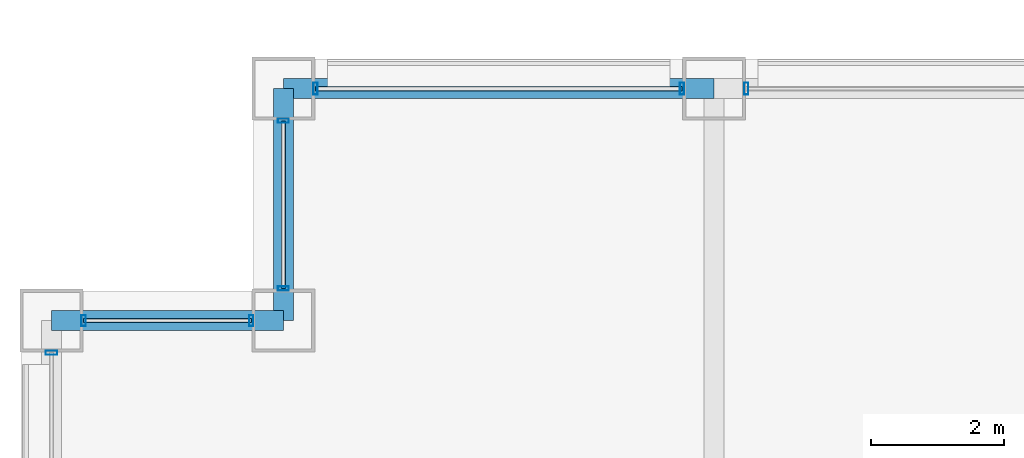
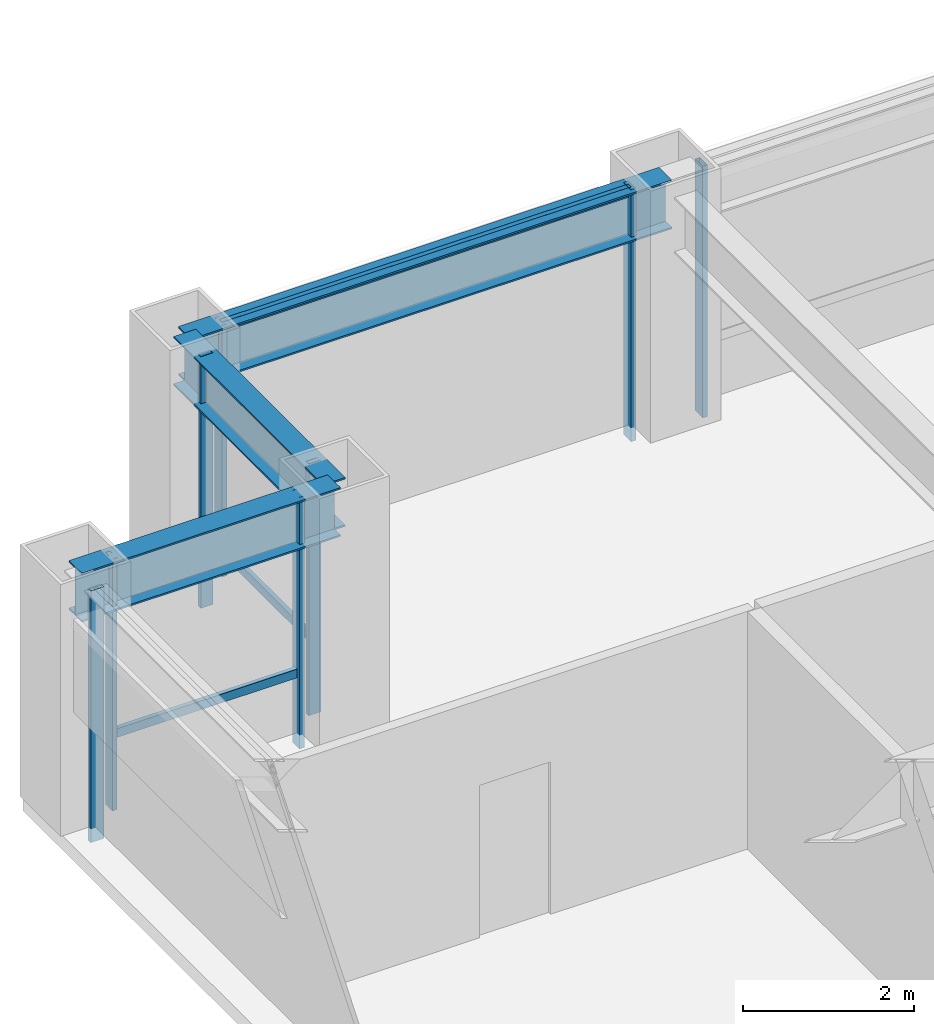
# One storey, part 16 of 31: 11 members, 3 beams, 5 elements without a shape of their own.
"""IFC4 building model written with IfcOpenShell, lengths in metres."""

from ifc_helpers import new_model, si_unit, direction, frame, origin, origin_2d, place, context, subcontext, project, spatial, hollow_rectangle, i_section, extrude, material, layer, layer_set, material_profile, profile_set, type_object, element, aggregate, save


model = new_model("IFC4")

# Units and contexts
model_context = context("Model", 3, precision=1e-05, world=origin(), true_north=direction((0.0, 1.0)))
body_context = subcontext(model_context, "Body", "Model", "MODEL_VIEW")
ifc_project = project(units=[si_unit("LENGTHUNIT", "METRE"), si_unit("AREAUNIT", "SQUARE_METRE"), si_unit("VOLUMEUNIT", "CUBIC_METRE"), si_unit("PLANEANGLEUNIT", "RADIAN"), si_unit("MASSUNIT", "GRAM", prefix="KILO")], contexts=[model_context])

# Site, building, storey
site_placement = place(None, origin())
site = spatial("IfcSite", under=ifc_project, at=site_placement, CompositionType="ELEMENT")
building_placement = place(site_placement, origin())
building = spatial("IfcBuilding", under=site, at=building_placement, Name="Brelmoor Portico Tower", CompositionType="ELEMENT")
storey_placement = place(building_placement, frame((0.0, 0.0, 42.0)))
storey = spatial("IfcBuildingStorey", under=building, at=storey_placement, Name="L10", CompositionType="ELEMENT", Elevation=42.0)

# Beams
ifc_material_1 = material(Name="Steel Q355B", Category="steel")
ifc_material_profile_1 = material_profile(ifc_material_1, i_section(OverallWidth=0.300048828125, OverallDepth=0.699951171875, WebThickness=0.012939453125, FlangeThickness=0.02392578125, at=origin_2d()), Name="HN 700x300x13x24")
ifc_profile_set_1 = profile_set([ifc_material_profile_1], Name="Steel Q355B")
beam_type = type_object("IfcBeamType", Name="BM-SP-700", PredefinedType="SPANDREL", material=ifc_profile_set_1)
beam_1_placement = place(storey_placement, frame((-24.550048828125, 18.050048828125, 3.050048828125), z_axis=(1.0, 0.0, 0.0), x_axis=(0.0, 1.0, 0.0)))
element("IfcBeam", 1, at=beam_1_placement, inside=storey, type_object=beam_type, Name="L10 Perimeter Spandrel Beam SP-08", PredefinedType="SPANDREL", context=body_context, shape_type="SweptSolid", body=[
    extrude(i_section(OverallWidth=0.300048828125, OverallDepth=0.699951171875, WebThickness=0.012939453125, FlangeThickness=0.02392578125, at=origin_2d()), origin(), (0.0, 0.0, 1.0), 3.5),
])
beam_2_placement = place(storey_placement, frame((-21.050048828125, 21.550048828125, 3.050048828125), z_axis=(1.0, 0.0, 0.0), x_axis=(0.0, 1.0, 0.0)))
element("IfcBeam", 2, at=beam_2_placement, inside=storey, type_object=beam_type, Name="L10 Perimeter Spandrel Beam SP-10", PredefinedType="SPANDREL", context=body_context, shape_type="SweptSolid", body=[
    extrude(i_section(OverallWidth=0.300048828125, OverallDepth=0.699951171875, WebThickness=0.012939453125, FlangeThickness=0.02392578125, at=origin_2d()), origin(), (0.0, 0.0, 1.0), 6.5),
])
beam_3_placement = place(storey_placement, frame((-21.050048828125, 18.050048828125, 3.050048828125), z_axis=(0.0, 1.0, 0.0), x_axis=(-1.0, 0.0, 0.0)))
element("IfcBeam", 3, at=beam_3_placement, inside=storey, type_object=beam_type, Name="L10 Perimeter Spandrel Beam SP-19", PredefinedType="SPANDREL", context=body_context, shape_type="SweptSolid", body=[
    extrude(i_section(OverallWidth=0.300048828125, OverallDepth=0.699951171875, WebThickness=0.012939453125, FlangeThickness=0.02392578125, at=origin_2d()), origin(), (0.0, 0.0, 1.0), 3.5),
])

# Curtain wall, members
ifc_material_2 = material(Name="Anodised Aluminium Alloy 6063-T6", Category="aluminium")
ifc_layer_1 = layer(ifc_material_2, 0.179931640625)
ifc_layer_set_1 = layer_set([ifc_layer_1], Name="Anodised Aluminium Alloy 6063-T6")
curtain_wall_type_1 = type_object("IfcCurtainWallType", Name="CW-NOTCH-CHAMFER", PredefinedType="NOTDEFINED", material=ifc_layer_set_1)
curtain_wall_1_placement = place(storey_placement, origin())
curtain_wall_1 = element("IfcCurtainWall", 4, at=curtain_wall_1_placement, inside=storey, type_object=curtain_wall_type_1, Name="L10 Curtain Wall CWN-L10-NWH", PredefinedType="NOTDEFINED")
ifc_material_profile_2 = material_profile(ifc_material_2, hollow_rectangle(XDim=0.06494140625, YDim=0.1650390625, WallThickness=0.00390625, at=origin_2d()), Name="ALU MULLION 65x165")
ifc_profile_set_2 = profile_set([ifc_material_profile_2], Name="Anodised Aluminium Alloy 6063-T6")
member_type_1 = type_object("IfcMemberType", Name="MB-CW-MULL-165", PredefinedType="MULLION", material=ifc_profile_set_2)
member_1_placement = place(storey_placement, frame((-24.06494140625, 18.050048828125, -0.199951171875), z_axis=(0.0, 0.0, 1.0), x_axis=(1.0, 0.0, 0.0)))
member_1 = element("IfcMember", 5, at=member_1_placement, type_object=member_type_1, Name="CWN-L10-NWH Mullion 00", PredefinedType="MULLION", context=body_context, shape_type="SweptSolid", body=[
    extrude(hollow_rectangle(XDim=0.06494140625, YDim=0.1650390625, WallThickness=0.00390625, at=origin_2d()), origin(), (0.0, 0.0, 1.0), 3.599853515625),
])
member_2_placement = place(storey_placement, frame((-21.534912109375, 18.050048828125, -0.199951171875), z_axis=(0.0, 0.0, 1.0), x_axis=(1.0, 0.0, 0.0)))
member_2 = element("IfcMember", 6, at=member_2_placement, type_object=member_type_1, Name="CWN-L10-NWH Mullion 01", PredefinedType="MULLION", context=body_context, shape_type="SweptSolid", body=[
    extrude(hollow_rectangle(XDim=0.06494140625, YDim=0.1650390625, WallThickness=0.00390625, at=origin_2d()), origin(), (0.0, 0.0, 1.0), 3.599853515625),
])

curtain_wall_2_placement = place(storey_placement, origin())
curtain_wall_2 = element("IfcCurtainWall", 7, at=curtain_wall_2_placement, inside=storey, type_object=curtain_wall_type_1, Name="L10 Curtain Wall CWN-L10-NWV", PredefinedType="NOTDEFINED")
member_3_placement = place(storey_placement, frame((-21.050048828125, 18.534912109375, -0.199951171875), z_axis=(0.0, 0.0, 1.0), x_axis=(0.0, 1.0, 0.0)))
member_3 = element("IfcMember", 8, at=member_3_placement, type_object=member_type_1, Name="CWN-L10-NWV Mullion 00", PredefinedType="MULLION", context=body_context, shape_type="SweptSolid", body=[
    extrude(hollow_rectangle(XDim=0.06494140625, YDim=0.1650390625, WallThickness=0.00390625, at=origin_2d()), origin(), (0.0, 0.0, 1.0), 3.599853515625),
])
member_4_placement = place(storey_placement, frame((-21.050048828125, 21.06494140625, -0.199951171875), z_axis=(0.0, 0.0, 1.0), x_axis=(0.0, 1.0, 0.0)))
member_4 = element("IfcMember", 9, at=member_4_placement, type_object=member_type_1, Name="CWN-L10-NWV Mullion 01", PredefinedType="MULLION", context=body_context, shape_type="SweptSolid", body=[
    extrude(hollow_rectangle(XDim=0.06494140625, YDim=0.1650390625, WallThickness=0.00390625, at=origin_2d()), origin(), (0.0, 0.0, 1.0), 3.599853515625),
])

ifc_layer_2 = layer(ifc_material_2, 0.179931640625)
ifc_layer_set_2 = layer_set([ifc_layer_2], Name="Anodised Aluminium Alloy 6063-T6")
curtain_wall_type_2 = type_object("IfcCurtainWallType", Name="CW-TOWER-Z1-XB", PredefinedType="NOTDEFINED", material=ifc_layer_set_2)
curtain_wall_3_placement = place(storey_placement, origin())
curtain_wall_3 = element("IfcCurtainWall", 10, at=curtain_wall_3_placement, inside=storey, type_object=curtain_wall_type_2, Name="L10 Curtain Wall CW-L10-2L-1", PredefinedType="NOTDEFINED")
ifc_material_profile_3 = material_profile(ifc_material_2, hollow_rectangle(XDim=0.06494140625, YDim=0.179931640625, WallThickness=0.00390625, at=origin_2d()), Name="ALU MULLION 65x180")
ifc_profile_set_3 = profile_set([ifc_material_profile_3], Name="Anodised Aluminium Alloy 6063-T6")
member_type_2 = type_object("IfcMemberType", Name="MB-CW-MULL-180", PredefinedType="MULLION", material=ifc_profile_set_3)
member_5_placement = place(storey_placement, frame((-20.56494140625, 21.550048828125, -0.199951171875), z_axis=(0.0, 0.0, 1.0), x_axis=(1.0, 0.0, 0.0)))
member_5 = element("IfcMember", 11, at=member_5_placement, type_object=member_type_2, Name="CW-L10-2L-1 Mullion 00", PredefinedType="MULLION", context=body_context, shape_type="SweptSolid", body=[
    extrude(hollow_rectangle(XDim=0.06494140625, YDim=0.179931640625, WallThickness=0.00390625, at=origin_2d()), origin(), (0.0, 0.0, 1.0), 3.599853515625),
])
member_6_placement = place(storey_placement, frame((-15.034912109375, 21.550048828125, -0.199951171875), z_axis=(0.0, 0.0, 1.0), x_axis=(1.0, 0.0, 0.0)))
member_6 = element("IfcMember", 12, at=member_6_placement, type_object=member_type_2, Name="CW-L10-2L-1 Mullion 01", PredefinedType="MULLION", context=body_context, shape_type="SweptSolid", body=[
    extrude(hollow_rectangle(XDim=0.06494140625, YDim=0.179931640625, WallThickness=0.00390625, at=origin_2d()), origin(), (0.0, 0.0, 1.0), 3.599853515625),
])

# Curtain wall, member
ifc_layer_3 = layer(ifc_material_2, 0.179931640625)
ifc_layer_set_3 = layer_set([ifc_layer_3], Name="Anodised Aluminium Alloy 6063-T6")
curtain_wall_type_3 = type_object("IfcCurtainWallType", Name="CW-TOWER-Z1", PredefinedType="NOTDEFINED", material=ifc_layer_set_3)
curtain_wall_4_placement = place(storey_placement, origin())
curtain_wall_4 = element("IfcCurtainWall", 13, at=curtain_wall_4_placement, inside=storey, type_object=curtain_wall_type_3, Name="L10 Curtain Wall CW-L10-2L-2", PredefinedType="NOTDEFINED")
member_7_placement = place(storey_placement, frame((-14.06494140625, 21.550048828125, -0.199951171875), z_axis=(0.0, 0.0, 1.0), x_axis=(1.0, 0.0, 0.0)))
member_7 = element("IfcMember", 14, at=member_7_placement, type_object=member_type_2, Name="CW-L10-2L-2 Mullion 00", PredefinedType="MULLION", context=body_context, shape_type="SweptSolid", body=[
    extrude(hollow_rectangle(XDim=0.06494140625, YDim=0.179931640625, WallThickness=0.00390625, at=origin_2d()), origin(), (0.0, 0.0, 1.0), 3.599853515625),
])
aggregate(curtain_wall_4, [member_7])

curtain_wall_5_placement = place(storey_placement, origin())
curtain_wall_5 = element("IfcCurtainWall", 15, at=curtain_wall_5_placement, inside=storey, type_object=curtain_wall_type_2, Name="L10 Curtain Wall CW-L10-03-3", PredefinedType="NOTDEFINED")
member_8_placement = place(storey_placement, frame((-24.550048828125, 17.56494140625, -0.199951171875), z_axis=(0.0, 0.0, 1.0), x_axis=(0.0, 1.0, 0.0)))
member_8 = element("IfcMember", 16, at=member_8_placement, type_object=member_type_2, Name="CW-L10-03-3 Mullion 01", PredefinedType="MULLION", context=body_context, shape_type="SweptSolid", body=[
    extrude(hollow_rectangle(XDim=0.06494140625, YDim=0.179931640625, WallThickness=0.00390625, at=origin_2d()), origin(), (0.0, 0.0, 1.0), 3.599853515625),
])
aggregate(curtain_wall_5, [member_8])

# Member
ifc_material_profile_4 = material_profile(ifc_material_2, hollow_rectangle(XDim=0.06005859375, YDim=0.125, WallThickness=0.00341796875, at=origin_2d()), Name="ALU TRANSOM 60x125")
ifc_profile_set_4 = profile_set([ifc_material_profile_4], Name="Anodised Aluminium Alloy 6063-T6")
member_type_3 = type_object("IfcMemberType", Name="MB-CW-TRAN-125", PredefinedType="USERDEFINED", material=ifc_profile_set_4)
member_9_placement = place(storey_placement, frame((-24.06494140625, 18.050048828125, 0.85009765625), z_axis=(1.0, 0.0, 0.0), x_axis=(0.0, 1.0, 0.0)))
member_9 = element("IfcMember", 17, at=member_9_placement, type_object=member_type_3, Name="CWN-L10-NWH Transom 1-00", ObjectType="TRANSOM", PredefinedType="USERDEFINED", context=body_context, shape_type="SweptSolid", body=[
    extrude(hollow_rectangle(XDim=0.06005859375, YDim=0.125, WallThickness=0.00341796875, at=origin_2d()), origin(), (0.0, 0.0, 1.0), 2.530029296875),
])

aggregate(curtain_wall_1, [member_1, member_2, member_9])

member_10_placement = place(storey_placement, frame((-21.050048828125, 18.534912109375, 0.85009765625), z_axis=(0.0, 1.0, 0.0), x_axis=(-1.0, 0.0, 0.0)))
member_10 = element("IfcMember", 18, at=member_10_placement, type_object=member_type_3, Name="CWN-L10-NWV Transom 1-00", ObjectType="TRANSOM", PredefinedType="USERDEFINED", context=body_context, shape_type="SweptSolid", body=[
    extrude(hollow_rectangle(XDim=0.06005859375, YDim=0.125, WallThickness=0.00341796875, at=origin_2d()), origin(), (0.0, 0.0, 1.0), 2.530029296875),
])

aggregate(curtain_wall_2, [member_3, member_4, member_10])

ifc_material_profile_5 = material_profile(ifc_material_2, hollow_rectangle(XDim=0.06494140625, YDim=0.139892578125, WallThickness=0.00390625, at=origin_2d()), Name="ALU TRANSOM 65x140")
ifc_profile_set_5 = profile_set([ifc_material_profile_5], Name="Anodised Aluminium Alloy 6063-T6")
member_type_4 = type_object("IfcMemberType", Name="MB-CW-TRAN-140", PredefinedType="USERDEFINED", material=ifc_profile_set_5)
member_11_placement = place(storey_placement, frame((-20.56494140625, 21.550048828125, 3.330078125), z_axis=(1.0, 0.0, 0.0), x_axis=(0.0, 1.0, 0.0)))
member_11 = element("IfcMember", 19, at=member_11_placement, type_object=member_type_4, Name="CW-L10-2L-1 Transom 1-00", ObjectType="TRANSOM", PredefinedType="USERDEFINED", context=body_context, shape_type="SweptSolid", body=[
    extrude(hollow_rectangle(XDim=0.06494140625, YDim=0.139892578125, WallThickness=0.00390625, at=origin_2d()), origin(), (0.0, 0.0, 1.0), 5.530029296875),
])

aggregate(curtain_wall_3, [member_5, member_6, member_11])

save(model, "model.ifc")
